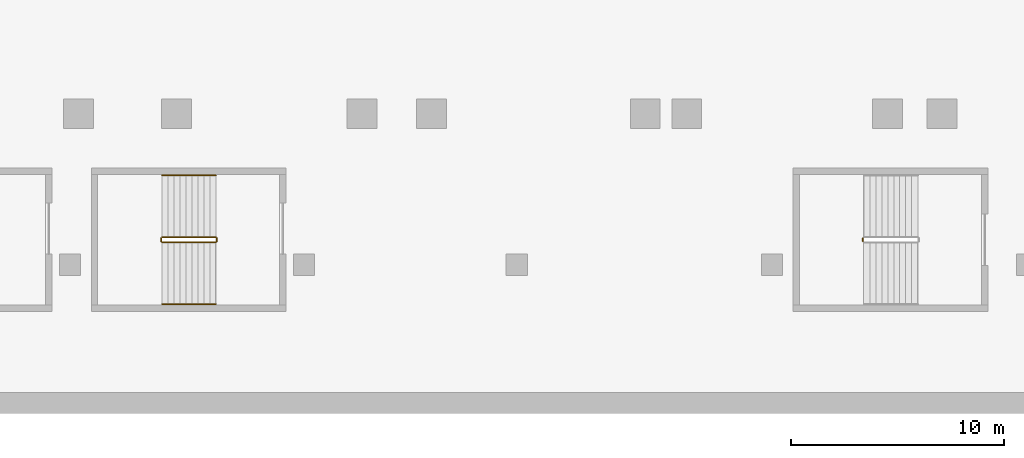
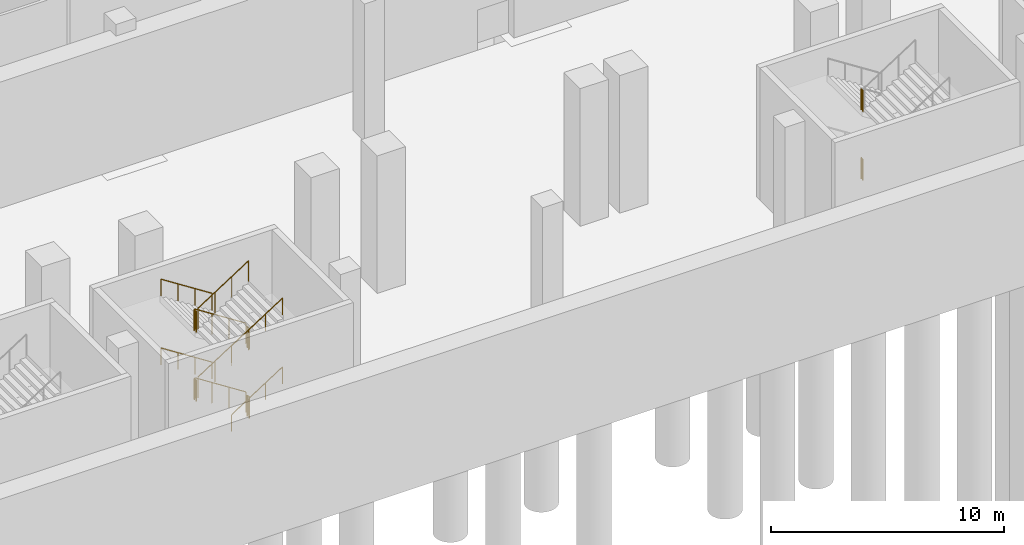
# One storey, part 12 of 15: 14 railings.
"""IFC4 building model written with IfcOpenShell, lengths in metres."""

from ifc_helpers import new_model, si_unit, direction, frame, origin, origin_2d, place, context, subcontext, project, spatial, circle, extrude, material, type_object, element, save


model = new_model("IFC4")

# Units and contexts
model_context = context("Model", 3, precision=1e-05, world=origin(), true_north=direction((0.0, 1.0)))
body_context = subcontext(model_context, "Body", "Model", "MODEL_VIEW")
ifc_project = project(units=[si_unit("LENGTHUNIT", "METRE"), si_unit("AREAUNIT", "SQUARE_METRE"), si_unit("VOLUMEUNIT", "CUBIC_METRE"), si_unit("PLANEANGLEUNIT", "RADIAN"), si_unit("MASSUNIT", "GRAM", prefix="KILO")], contexts=[model_context])

# Site, building, storey
site_placement = place(None, origin())
site = spatial("IfcSite", under=ifc_project, at=site_placement, CompositionType="ELEMENT")
building_placement = place(site_placement, origin())
building = spatial("IfcBuilding", under=site, at=building_placement, Name="Wharfspan Tower", CompositionType="ELEMENT")
storey_placement = place(building_placement, frame((0.0, 0.0, -7.199951)))
storey = spatial("IfcBuildingStorey", under=building, at=storey_placement, Name="B1", CompositionType="ELEMENT", Elevation=-7.199951)

# Railings
ifc_material = material(Name="Steel S355J2", Category="steel")
railing_type_1 = type_object("IfcRailingType", Name="Podium guard 1100", PredefinedType="GUARDRAIL", material=ifc_material)
railing_1_placement = place(storey_placement, frame((25.850098, -27.699951, 0.179932)))
element("IfcRailing", 1, at=railing_1_placement, inside=storey, type_object=railing_type_1, Name="B1 SB2 stair guard 1", PredefinedType="GUARDRAIL", context=body_context, shape_type="SweptSolid", body=[
    extrude(circle(Radius=0.023926, at=origin_2d()), frame((0.0, 0.0, 1.076172), z_axis=(-0.841163, 0.0, 0.540782), x_axis=(0.0, -1.0, 0.0)), (0.0, 0.0, 1.0), 2.99585),
    extrude(circle(Radius=0.020996, at=origin_2d()), origin(), (0.0, 0.0, 1.0), 1.052002),
    extrude(circle(Radius=0.020996, at=origin_2d()), frame((-0.840088, 0.0, 0.540039)), (0.0, 0.0, 1.0), 1.052002),
    extrude(circle(Radius=0.020996, at=origin_2d()), frame((-1.679932, 0.0, 1.080078)), (0.0, 0.0, 1.0), 1.052002),
    extrude(circle(Radius=0.020996, at=origin_2d()), frame((-2.52002, 0.0, 1.620117)), (0.0, 0.0, 1.0), 1.052002),
])
railing_2_placement = place(storey_placement, frame((23.280029, -27.75, 1.800049)))
element("IfcRailing", 2, at=railing_2_placement, inside=storey, type_object=railing_type_1, Name="B1 SB2 stair guard 2", PredefinedType="GUARDRAIL", context=body_context, shape_type="SweptSolid", body=[
    extrude(circle(Radius=0.023926, at=origin_2d()), frame((0.0, 0.0, 1.076172), z_axis=(0.0, -1.0, 0.0), x_axis=(1.0, 0.0, 0.0)), (0.0, 0.0, 1.0), 0.149902),
    extrude(circle(Radius=0.020996, at=origin_2d()), origin(), (0.0, 0.0, 1.0), 1.052002),
    extrude(circle(Radius=0.020996, at=origin_2d()), frame((0.0, -0.149902, 0.0)), (0.0, 0.0, 1.0), 1.052002),
])
railing_3_placement = place(storey_placement, frame((23.330078, -27.949951, 1.97998)))
element("IfcRailing", 3, at=railing_3_placement, inside=storey, type_object=railing_type_1, Name="B1 SB2 stair guard 3", PredefinedType="GUARDRAIL", context=body_context, shape_type="SweptSolid", body=[
    extrude(circle(Radius=0.023926, at=origin_2d()), frame((0.0, 0.0, 1.076172), z_axis=(0.8412, 0.0, 0.540725), x_axis=(0.0, 1.0, 0.0)), (0.0, 0.0, 1.0), 2.99585),
    extrude(circle(Radius=0.020996, at=origin_2d()), origin(), (0.0, 0.0, 1.0), 1.052002),
    extrude(circle(Radius=0.020996, at=origin_2d()), frame((0.840088, 0.0, 0.540039)), (0.0, 0.0, 1.0), 1.052002),
    extrude(circle(Radius=0.020996, at=origin_2d()), frame((1.679932, 0.0, 1.079834)), (0.0, 0.0, 1.0), 1.052002),
    extrude(circle(Radius=0.020996, at=origin_2d()), frame((2.52002, 0.0, 1.619873)), (0.0, 0.0, 1.0), 1.052002),
])
railing_4_placement = place(storey_placement, frame((25.899902, -27.75, 3.599854)))
element("IfcRailing", 4, at=railing_4_placement, inside=storey, type_object=railing_type_1, Name="B1 SB2 stair guard 4", PredefinedType="GUARDRAIL", context=body_context, shape_type="SweptSolid", body=[
    extrude(circle(Radius=0.023926, at=origin_2d()), frame((0.0, 0.0, 1.076172), z_axis=(0.0, -1.0, 0.0), x_axis=(1.0, 0.0, 0.0)), (0.0, 0.0, 1.0), 0.149902),
    extrude(circle(Radius=0.020996, at=origin_2d()), origin(), (0.0, 0.0, 1.0), 1.052002),
    extrude(circle(Radius=0.020996, at=origin_2d()), frame((0.0, -0.149902, 0.0)), (0.0, 0.0, 1.0), 1.052002),
])
railing_5_placement = place(storey_placement, frame((25.850098, -27.699951, 3.780029)))
element("IfcRailing", 5, at=railing_5_placement, inside=storey, type_object=railing_type_1, Name="B1 SB2 stair guard 5", PredefinedType="GUARDRAIL", context=body_context, shape_type="SweptSolid", body=[
    extrude(circle(Radius=0.023926, at=origin_2d()), frame((0.0, 0.0, 1.076172), z_axis=(-0.8412, 0.0, 0.540725), x_axis=(0.0, -1.0, 0.0)), (0.0, 0.0, 1.0), 2.99585),
    extrude(circle(Radius=0.020996, at=origin_2d()), origin(), (0.0, 0.0, 1.0), 1.052002),
    extrude(circle(Radius=0.020996, at=origin_2d()), frame((-0.840088, 0.0, 0.540039)), (0.0, 0.0, 1.0), 1.052002),
    extrude(circle(Radius=0.020996, at=origin_2d()), frame((-1.679932, 0.0, 1.079834)), (0.0, 0.0, 1.0), 1.052002),
    extrude(circle(Radius=0.020996, at=origin_2d()), frame((-2.52002, 0.0, 1.619873)), (0.0, 0.0, 1.0), 1.052002),
])
railing_6_placement = place(storey_placement, frame((23.280029, -27.75, 5.399902)))
element("IfcRailing", 6, at=railing_6_placement, inside=storey, type_object=railing_type_1, Name="B1 SB2 stair guard 6", PredefinedType="GUARDRAIL", context=body_context, shape_type="SweptSolid", body=[
    extrude(circle(Radius=0.023926, at=origin_2d()), frame((0.0, 0.0, 1.076172), z_axis=(0.0, -1.0, 0.0), x_axis=(1.0, 0.0, 0.0)), (0.0, 0.0, 1.0), 0.149902),
    extrude(circle(Radius=0.020996, at=origin_2d()), origin(), (0.0, 0.0, 1.0), 1.052002),
    extrude(circle(Radius=0.020996, at=origin_2d()), frame((0.0, -0.149902, 0.0)), (0.0, 0.0, 1.0), 1.052002),
])
railing_7_placement = place(storey_placement, frame((23.330078, -27.949951, 5.579834)))
element("IfcRailing", 7, at=railing_7_placement, inside=storey, type_object=railing_type_1, Name="B1 SB2 stair guard 7", PredefinedType="GUARDRAIL", context=body_context, shape_type="SweptSolid", body=[
    extrude(circle(Radius=0.023926, at=origin_2d()), frame((0.0, 0.0, 1.076172), z_axis=(0.841163, 0.0, 0.540782), x_axis=(0.0, 1.0, 0.0)), (0.0, 0.0, 1.0), 2.99585),
    extrude(circle(Radius=0.020996, at=origin_2d()), origin(), (0.0, 0.0, 1.0), 1.052002),
    extrude(circle(Radius=0.020996, at=origin_2d()), frame((0.840088, 0.0, 0.540039)), (0.0, 0.0, 1.0), 1.052002),
    extrude(circle(Radius=0.020996, at=origin_2d()), frame((1.679932, 0.0, 1.080078)), (0.0, 0.0, 1.0), 1.052002),
    extrude(circle(Radius=0.020996, at=origin_2d()), frame((2.52002, 0.0, 1.620117)), (0.0, 0.0, 1.0), 1.052002),
])
for number, where, name in (
    (8, (25.899902, -27.75, 0.0), "B1 SB2 stair guard 8"),
    (9, (56.280029, -27.75, 1.800049), "B1 SB3 stair guard 2"),
    (10, (56.280029, -27.75, 5.399902), "B1 SB3 stair guard 6"),
):
    element("IfcRailing", number, at=place(storey_placement, frame(where)), inside=storey, type_object=railing_type_1, Name=name, PredefinedType="GUARDRAIL", context=body_context, shape_type="SweptSolid", body=[
        extrude(circle(Radius=0.023926, at=origin_2d()), frame((0.0, 0.0, 1.076172), z_axis=(0.0, -1.0, 0.0), x_axis=(1.0, 0.0, 0.0)), (0.0, 0.0, 1.0), 0.149902),
        extrude(circle(Radius=0.020996, at=origin_2d()), origin(), (0.0, 0.0, 1.0), 1.052002),
        extrude(circle(Radius=0.020996, at=origin_2d()), frame((0.0, -0.149902, 0.0)), (0.0, 0.0, 1.0), 1.052002),
    ])
railing_type_2 = type_object("IfcRailingType", Name="Podium stair handrail 900", PredefinedType="HANDRAIL", material=ifc_material)
railing_8_placement = place(storey_placement, frame((25.850098, -24.800049, 0.179932)))
element("IfcRailing", 11, at=railing_8_placement, inside=storey, type_object=railing_type_2, Name="B1 SB2 stair handrail 1", PredefinedType="HANDRAIL", context=body_context, shape_type="SweptSolid", body=[
    extrude(circle(Radius=0.023926, at=origin_2d()), frame((0.0, 0.0, 0.875977), z_axis=(-0.841163, 0.0, 0.540782), x_axis=(0.0, -1.0, 0.0)), (0.0, 0.0, 1.0), 2.99585),
    extrude(circle(Radius=0.020996, at=origin_2d()), origin(), (0.0, 0.0, 1.0), 0.851807),
    extrude(circle(Radius=0.020996, at=origin_2d()), frame((-0.840088, 0.0, 0.540039)), (0.0, 0.0, 1.0), 0.851807),
    extrude(circle(Radius=0.020996, at=origin_2d()), frame((-1.679932, 0.0, 1.080078)), (0.0, 0.0, 1.0), 0.851807),
    extrude(circle(Radius=0.020996, at=origin_2d()), frame((-2.52002, 0.0, 1.620117)), (0.0, 0.0, 1.0), 0.851807),
])
railing_9_placement = place(storey_placement, frame((23.330078, -30.850098, 1.97998)))
element("IfcRailing", 12, at=railing_9_placement, inside=storey, type_object=railing_type_2, Name="B1 SB2 stair handrail 2", PredefinedType="HANDRAIL", context=body_context, shape_type="SweptSolid", body=[
    extrude(circle(Radius=0.023926, at=origin_2d()), frame((0.0, 0.0, 0.875977), z_axis=(0.8412, 0.0, 0.540725), x_axis=(0.0, 1.0, 0.0)), (0.0, 0.0, 1.0), 2.99585),
    extrude(circle(Radius=0.020996, at=origin_2d()), origin(), (0.0, 0.0, 1.0), 0.851807),
    extrude(circle(Radius=0.020996, at=origin_2d()), frame((0.840088, 0.0, 0.540039)), (0.0, 0.0, 1.0), 0.851807),
    extrude(circle(Radius=0.020996, at=origin_2d()), frame((1.679932, 0.0, 1.079834)), (0.0, 0.0, 1.0), 0.851807),
    extrude(circle(Radius=0.020996, at=origin_2d()), frame((2.52002, 0.0, 1.619873)), (0.0, 0.0, 1.0), 0.851807),
])
railing_10_placement = place(storey_placement, frame((25.850098, -24.800049, 3.780029)))
element("IfcRailing", 13, at=railing_10_placement, inside=storey, type_object=railing_type_2, Name="B1 SB2 stair handrail 3", PredefinedType="HANDRAIL", context=body_context, shape_type="SweptSolid", body=[
    extrude(circle(Radius=0.023926, at=origin_2d()), frame((0.0, 0.0, 0.875977), z_axis=(-0.8412, 0.0, 0.540725), x_axis=(0.0, -1.0, 0.0)), (0.0, 0.0, 1.0), 2.99585),
    extrude(circle(Radius=0.020996, at=origin_2d()), origin(), (0.0, 0.0, 1.0), 0.851807),
    extrude(circle(Radius=0.020996, at=origin_2d()), frame((-0.840088, 0.0, 0.540039)), (0.0, 0.0, 1.0), 0.851807),
    extrude(circle(Radius=0.020996, at=origin_2d()), frame((-1.679932, 0.0, 1.079834)), (0.0, 0.0, 1.0), 0.851807),
    extrude(circle(Radius=0.020996, at=origin_2d()), frame((-2.52002, 0.0, 1.619873)), (0.0, 0.0, 1.0), 0.851807),
])
railing_11_placement = place(storey_placement, frame((23.330078, -30.850098, 5.579834)))
element("IfcRailing", 14, at=railing_11_placement, inside=storey, type_object=railing_type_2, Name="B1 SB2 stair handrail 4", PredefinedType="HANDRAIL", context=body_context, shape_type="SweptSolid", body=[
    extrude(circle(Radius=0.023926, at=origin_2d()), frame((0.0, 0.0, 0.875977), z_axis=(0.841163, 0.0, 0.540782), x_axis=(0.0, 1.0, 0.0)), (0.0, 0.0, 1.0), 2.99585),
    extrude(circle(Radius=0.020996, at=origin_2d()), origin(), (0.0, 0.0, 1.0), 0.851807),
    extrude(circle(Radius=0.020996, at=origin_2d()), frame((0.840088, 0.0, 0.540039)), (0.0, 0.0, 1.0), 0.851807),
    extrude(circle(Radius=0.020996, at=origin_2d()), frame((1.679932, 0.0, 1.080078)), (0.0, 0.0, 1.0), 0.851807),
    extrude(circle(Radius=0.020996, at=origin_2d()), frame((2.52002, 0.0, 1.620117)), (0.0, 0.0, 1.0), 0.851807),
])

save(model, "model.ifc")
